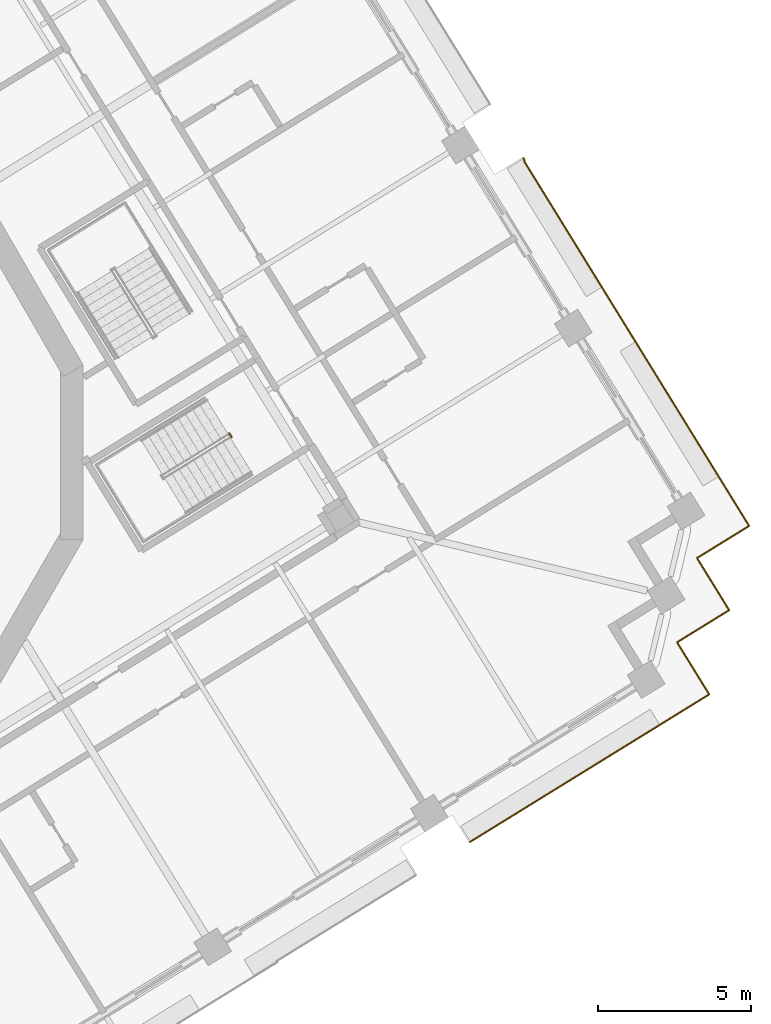
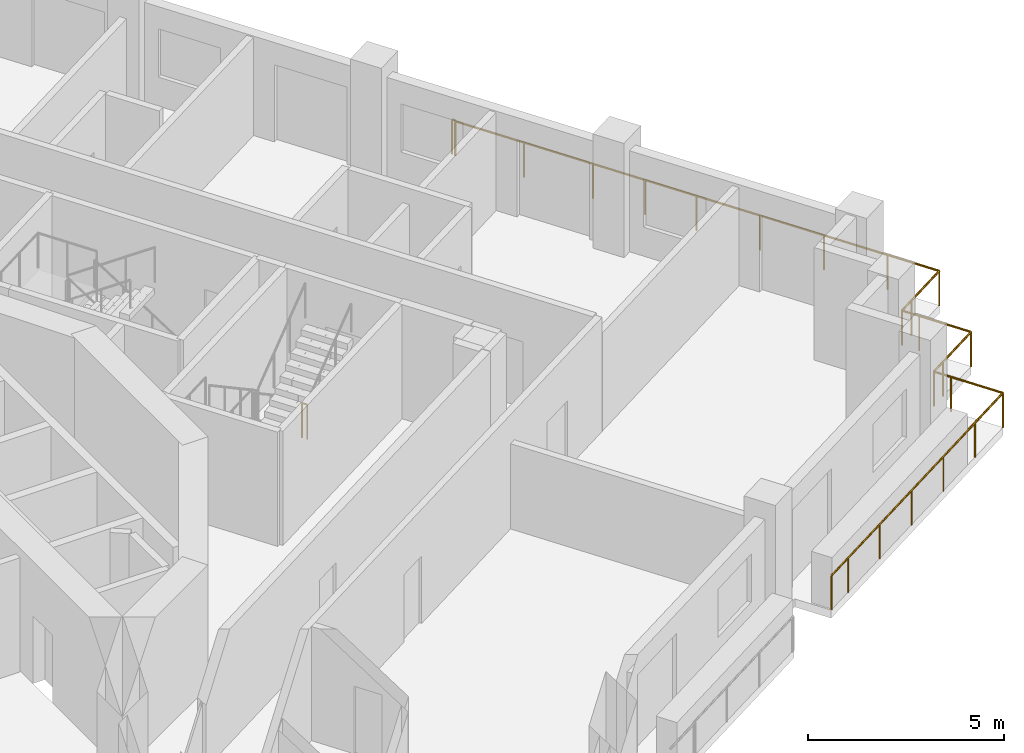
# One storey, part 18 of 22: 3 railings.
"""IFC4 building model written with IfcOpenShell, lengths in metres."""

import ifcopenshell
import ifcopenshell.guid

model = None  # the IFC model being written
_history = None  # IfcOwnerHistory: only IFC2X3 demands one
_inside = {}  # id of a spatial element -> (the spatial element, [elements in it])
_under = {}  # id of a project, library or spatial element -> (it, [spatial elements below it])
_declared = {}  # id of a project -> (the project, [libraries it declares])
_typed = {}  # id of a type object -> (the type object, [elements of that type])
_made_of = {}  # id of a material, layer set ... -> (it, [elements and type objects made of it])


def new_model(schema):
    """Start an empty IFC model of exactly this schema.

    Asked for "IFC4X3", IfcOpenShell would pick the latest addendum, in which some entities
    have other attributes; the version numbers below select the first issue.
    IFC2X3 requires an IfcOwnerHistory on every rooted entity: one is made here for all.
    """
    global model, _history
    if schema == "IFC4X3":
        model = ifcopenshell.file(schema_version=(4, 3, 0, 0))
    else:
        model = ifcopenshell.file(schema=schema)
    _inside.clear()
    _under.clear()
    _declared.clear()
    _typed.clear()
    _made_of.clear()
    _history = None
    if model.schema == "IFC2X3":
        org = make("IfcOrganization", Name="unknown")
        user = make(
            "IfcPersonAndOrganization",
            ThePerson=make("IfcPerson", FamilyName="unknown"),
            TheOrganization=org,
        )
        app = make(
            "IfcApplication",
            ApplicationDeveloper=org,
            Version="unknown",
            ApplicationFullName="unknown",
            ApplicationIdentifier="unknown",
        )
        _history = make(
            "IfcOwnerHistory",
            OwningUser=user,
            OwningApplication=app,
            ChangeAction="ADDED",
            CreationDate=0,
        )
    return model


def make(cls, **values):
    """One entity of the class cls with the attributes given. An attribute that is None is left unset."""
    return model.create_entity(
        cls, **{name: value for name, value in values.items() if value is not None}
    )


def rooted(cls, **values):
    """An entity with a GlobalId (a new one), such as an element, a storey or a relation."""
    return make(cls, GlobalId=ifcopenshell.guid.new(), OwnerHistory=_history, **values)


def si_unit(unit_type, name, prefix=None):
    """IfcSIUnit, for example si_unit("LENGTHUNIT", "METRE", prefix="MILLI")."""
    return make("IfcSIUnit", UnitType=unit_type, Prefix=prefix, Name=name)


def assignment(units):
    """IfcUnitAssignment: the units of a project."""
    return None if units is None else make("IfcUnitAssignment", Units=units)


def point(xyz):
    """IfcCartesianPoint."""
    return None if xyz is None else make("IfcCartesianPoint", Coordinates=xyz)


def direction(xyz):
    """IfcDirection."""
    return None if xyz is None else make("IfcDirection", DirectionRatios=xyz)


def frame(location, z_axis=None, x_axis=None):
    """IfcAxis2Placement3D, a coordinate frame: its origin and axes. An axis left out is left unset."""
    return make(
        "IfcAxis2Placement3D",
        Location=point(location),
        Axis=direction(z_axis),
        RefDirection=direction(x_axis),
    )


def frame_2d(location, x_axis=None):
    """IfcAxis2Placement2D, a coordinate frame in the plane: its origin and x axis."""
    return make(
        "IfcAxis2Placement2D", Location=point(location), RefDirection=direction(x_axis)
    )


def origin():
    """The frame at (0, 0, 0) with its axes left unset."""
    return frame((0.0, 0.0, 0.0))


def origin_2d():
    """The frame at (0, 0) in the plane with its x axis left unset."""
    return frame_2d((0.0, 0.0))


def place(relative_to, where):
    """IfcLocalPlacement: puts the frame where relative to a parent placement (None: the world)."""
    return make(
        "IfcLocalPlacement", PlacementRelTo=relative_to, RelativePlacement=where
    )


def context(
    kind, dimensions, precision=None, world=None, true_north=None, identifier=None
):
    """IfcGeometricRepresentationContext, for example the 3D "Model" context."""
    return make(
        "IfcGeometricRepresentationContext",
        ContextIdentifier=identifier,
        ContextType=kind,
        CoordinateSpaceDimension=dimensions,
        Precision=precision,
        WorldCoordinateSystem=world,
        TrueNorth=true_north,
    )


def subcontext(parent, identifier, kind, view, scale=None):
    """IfcGeometricRepresentationSubContext, for example "Body" below "Model"."""
    return make(
        "IfcGeometricRepresentationSubContext",
        ContextIdentifier=identifier,
        ContextType=kind,
        ParentContext=parent,
        TargetScale=scale,
        TargetView=view,
    )


def project(units=None, contexts=None):
    """IfcProject with its units and contexts."""
    return rooted(
        "IfcProject",
        Name="project",
        RepresentationContexts=contexts,
        UnitsInContext=assignment(units),
    )


def spatial(cls, under=None, at=None, **own):
    """A site, building, storey or space (cls), placed at a placement, below another one or the project."""
    s = rooted(cls, ObjectPlacement=at, **own)
    if under is not None:
        _under.setdefault(under.id(), (under, []))[1].append(s)
    return s


def profile(cls, at=None, kind="AREA", **sizes):
    """A parametric profile (cls). Its sizes go by their IFC names, for example OverallWidth=200.0."""
    return make(cls, ProfileType=kind, Position=at, **sizes)


def circle(**sizes):
    """IfcCircleProfileDef."""
    return profile("IfcCircleProfileDef", **sizes)


def extrude(swept, where, along, depth):
    """IfcExtrudedAreaSolid: the profile swept, set in the frame where, extruded along a direction by depth."""
    return make(
        "IfcExtrudedAreaSolid",
        SweptArea=swept,
        Position=where,
        ExtrudedDirection=direction(along),
        Depth=depth,
    )


def shape(context_of_items, identifier, shape_type, items):
    """IfcShapeRepresentation: the items that make up one representation, for example the "Body"."""
    return make(
        "IfcShapeRepresentation",
        ContextOfItems=context_of_items,
        RepresentationIdentifier=identifier,
        RepresentationType=shape_type,
        Items=items,
    )


def material(Name=None, Category=None):
    """IfcMaterial."""
    return make("IfcMaterial", Name=Name, Category=Category)


def made_of(thing, what):
    """Note that an element or type object is made of a material, layer set ...; save() writes the relation."""
    if what is not None:
        _made_of.setdefault(what.id(), (what, []))[1].append(thing)
    return thing


def type_object(cls, material=None, **own):
    """A type object (cls), such as IfcWallType, which elements share."""
    return made_of(rooted(cls, **own), material)


def element(
    cls,
    number,
    at=None,
    inside=None,
    cuts=None,
    type_object=None,
    material=None,
    context=None,
    identifier="Body",
    shape_type=None,
    held_by="IfcProductDefinitionShape",
    body=None,
    shapes=None,
    **own,
):
    """One element of the class cls, such as IfcWall. Its Tag is "e" and its number.

    at: its placement. inside: the storey or other place that contains it. cuts: it is an
    opening in that element (IfcRelVoidsElement). A single representation is given by context,
    identifier, shape_type and body (its items); several are given by shapes. held_by: the class
    of the entity that holds the representations. save() writes the other relations.
    """
    e = rooted(cls, Tag="e%d" % number, ObjectPlacement=at, **own)
    if body is not None:
        shapes = [shape(context, identifier, shape_type, body)]
    if shapes is not None:
        e.Representation = make(held_by, Representations=shapes)
    if inside is not None:
        _inside.setdefault(inside.id(), (inside, []))[1].append(e)
    if cuts is not None:
        rooted(
            "IfcRelVoidsElement", RelatingBuildingElement=cuts, RelatedOpeningElement=e
        )
    if type_object is not None:
        _typed.setdefault(type_object.id(), (type_object, []))[1].append(e)
    return made_of(e, material)


def aggregate(whole, parts):
    """IfcRelAggregates: a whole, such as a stair, and the parts it consists of."""
    return rooted("IfcRelAggregates", RelatingObject=whole, RelatedObjects=parts)


def save(model, path):
    """Write the relations noted so far, then the file.

    IfcRelAggregates (storeys below a building ...), IfcRelContainedInSpatialStructure (elements
    in a storey), IfcRelDefinesByType, IfcRelAssociatesMaterial and IfcRelDeclares: one each for
    every whole, place, type object, material and project.
    """
    for whole, parts in _under.values():
        aggregate(whole, parts)
    for where, things in _inside.values():
        rooted(
            "IfcRelContainedInSpatialStructure",
            RelatedElements=things,
            RelatingStructure=where,
        )
    for kind, things in _typed.values():
        rooted("IfcRelDefinesByType", RelatedObjects=things, RelatingType=kind)
    for what, things in _made_of.values():
        rooted("IfcRelAssociatesMaterial", RelatedObjects=things, RelatingMaterial=what)
    for by, libraries in _declared.values():
        rooted("IfcRelDeclares", RelatingContext=by, RelatedDefinitions=libraries)
    model.write(path)


model = new_model("IFC4")

# Units and contexts
model_context = context("Model", 3, precision=1e-05, world=origin(), true_north=direction((0.0, 1.0)))
body_context = subcontext(model_context, "Body", "Model", "MODEL_VIEW")
ifc_project = project(units=[si_unit("LENGTHUNIT", "METRE"), si_unit("AREAUNIT", "SQUARE_METRE"), si_unit("VOLUMEUNIT", "CUBIC_METRE"), si_unit("PLANEANGLEUNIT", "RADIAN"), si_unit("MASSUNIT", "GRAM", prefix="KILO")], contexts=[model_context])

# Site, building, storey
site_placement = place(None, origin())
site = spatial("IfcSite", under=ifc_project, at=site_placement, CompositionType="ELEMENT")
building_placement = place(site_placement, origin())
building = spatial("IfcBuilding", under=site, at=building_placement, Name="Cantera Rosa Tower", CompositionType="ELEMENT")
storey_placement = place(building_placement, frame((0.0, 0.0, 166.60009765625)))
storey = spatial("IfcBuildingStorey", under=building, at=storey_placement, Name="L36", CompositionType="ELEMENT", Elevation=166.60009765625)

# Railings
ifc_material_1 = material(Name="Stainless steel and laminated glass", Category="steel")
railing_type_1 = type_object("IfcRailingType", Name="GUARD 1100", PredefinedType="BALUSTRADE", material=ifc_material_1)
railing_1_placement = place(storey_placement, frame((30.03076171875, -6.208984375, 0.0)))
element("IfcRailing", 1, at=railing_1_placement, inside=storey, type_object=railing_type_1, Name="GUARD L36-10", PredefinedType="BALUSTRADE", context=body_context, shape_type="SweptSolid", body=[
    extrude(circle(Radius=0.030029296875, at=origin_2d()), frame((0.0, 0.0, 1.070068359375), z_axis=(0.52494176933, -0.851138143202, 0.0), x_axis=(0.851138143202, 0.52494176933, 0.0)), (0.0, 0.0, 1.0), 0.5),
    extrude(circle(Radius=0.030029296875, at=origin_2d()), frame((0.262451171875, -0.425537109375, 1.070068359375), z_axis=(0.524869051004, -0.85118298814, 0.0), x_axis=(0.85118298814, 0.524869051004, 0.0)), (0.0, 0.0, 1.0), 1.5),
    extrude(circle(Radius=0.030029296875, at=origin_2d()), frame((1.0498046875, -1.702392578125, 1.070068359375), z_axis=(-0.851138143202, -0.52494176933, 0.0), x_axis=(0.52494176933, -0.851138143202, 0.0)), (0.0, 0.0, 1.0), 1.5),
    extrude(circle(Radius=0.030029296875, at=origin_2d()), frame((-0.226806640625, -2.48974609375, 1.070068359375), z_axis=(-0.851120753703, -0.524969963537, 0.0), x_axis=(0.524969963537, -0.851120753703, 0.0)), (0.0, 0.0, 1.0), 6.820068359375),
    extrude(circle(Radius=0.030029296875, at=origin_2d()), frame((-6.031494140625, -6.070068359375, 1.070068359375), z_axis=(-0.851089370259, -0.525020841331, 0.0), x_axis=(0.525020841331, -0.851089370259, 0.0)), (0.0, 0.0, 1.0), 0.8701171875),
    extrude(circle(Radius=0.02490234375, at=origin_2d()), origin(), (0.0, 0.0, 1.0), 1.0400390625),
    extrude(circle(Radius=0.02490234375, at=origin_2d()), frame((0.262451171875, -0.425537109375, 0.0)), (0.0, 0.0, 1.0), 1.0400390625),
    extrude(circle(Radius=0.02490234375, at=origin_2d()), frame((1.0498046875, -1.702392578125, 0.0)), (0.0, 0.0, 1.0), 1.0400390625),
    extrude(circle(Radius=0.02490234375, at=origin_2d()), frame((-0.226806640625, -2.48974609375, 0.0)), (0.0, 0.0, 1.0), 1.0400390625),
    extrude(circle(Radius=0.02490234375, at=origin_2d()), frame((-1.677978515625, -3.384765625, 0.0)), (0.0, 0.0, 1.0), 1.0400390625),
    extrude(circle(Radius=0.02490234375, at=origin_2d()), frame((-3.129150390625, -4.27978515625, 0.0)), (0.0, 0.0, 1.0), 1.0400390625),
    extrude(circle(Radius=0.02490234375, at=origin_2d()), frame((-4.580322265625, -5.175048828125, 0.0)), (0.0, 0.0, 1.0), 1.0400390625),
    extrude(circle(Radius=0.02490234375, at=origin_2d()), frame((-6.031494140625, -6.070068359375, 0.0)), (0.0, 0.0, 1.0), 1.0400390625),
    extrude(circle(Radius=0.02490234375, at=origin_2d()), frame((-6.77197265625, -6.52685546875, 0.0)), (0.0, 0.0, 1.0), 1.0400390625),
])
railing_2_placement = place(storey_placement, frame((25.004150390625, 9.61865234375, 0.0)))
element("IfcRailing", 2, at=railing_2_placement, inside=storey, type_object=railing_type_1, Name="GUARD L36-11", PredefinedType="BALUSTRADE", context=body_context, shape_type="SweptSolid", body=[
    extrude(circle(Radius=0.030029296875, at=origin_2d()), frame((0.0, 0.0, 1.070068359375), z_axis=(0.524771895301, -0.851242890074, 0.0), x_axis=(0.851242890074, 0.524771895301, 0.0)), (0.0, 0.0, 1.0), 0.10107421875),
    extrude(circle(Radius=0.030029296875, at=origin_2d()), frame((0.052978515625, -0.0859375, 1.070068359375), z_axis=(-0.849761711822, -0.52716698789, 0.0), x_axis=(0.52716698789, -0.849761711822, 0.0)), (0.0, 0.0, 1.0), 0.031005859375),
    extrude(circle(Radius=0.030029296875, at=origin_2d()), frame((0.026611328125, -0.102294921875, 1.070068359375), z_axis=(0.525005464251, -0.851098855896, 0.0), x_axis=(0.851098855896, 0.525005464251, 0.0)), (0.0, 0.0, 1.0), 3.989013671875),
    extrude(circle(Radius=0.030029296875, at=origin_2d()), frame((2.120849609375, -3.497314453125, 1.070068359375), z_axis=(0.524964362564, -0.851124208349, 0.0), x_axis=(0.851124208349, 0.524964362564, 0.0)), (0.0, 0.0, 1.0), 3.0),
    extrude(circle(Radius=0.030029296875, at=origin_2d()), frame((3.69580078125, -6.05078125, 1.070068359375), z_axis=(0.524968277683, -0.851121793533, 0.0), x_axis=(0.851121793533, 0.524968277683, 0.0)), (0.0, 0.0, 1.0), 5.519775390625),
    extrude(circle(Radius=0.030029296875, at=origin_2d()), frame((6.593505859375, -10.748779296875, 1.070068359375), z_axis=(0.524986950369, -0.851110276017, 0.0), x_axis=(0.851110276017, 0.524986950369, 0.0)), (0.0, 0.0, 1.0), 1.500244140625),
    extrude(circle(Radius=0.030029296875, at=origin_2d()), frame((7.381103515625, -12.025634765625, 1.070068359375), z_axis=(-0.85118298814, -0.524869051004, 0.0), x_axis=(0.524869051004, -0.85118298814, 0.0)), (0.0, 0.0, 1.0), 1.5),
    extrude(circle(Radius=0.030029296875, at=origin_2d()), frame((6.104248046875, -12.81298828125, 1.070068359375), z_axis=(-0.851138143202, -0.52494176933, 0.0), x_axis=(0.52494176933, -0.851138143202, 0.0)), (0.0, 0.0, 1.0), 0.5),
    extrude(circle(Radius=0.030029296875, at=origin_2d()), frame((5.6787109375, -13.075439453125, 1.070068359375), z_axis=(0.52494176933, -0.851138143202, 0.0), x_axis=(0.851138143202, 0.52494176933, 0.0)), (0.0, 0.0, 1.0), 0.5),
    extrude(circle(Radius=0.030029296875, at=origin_2d()), frame((5.941162109375, -13.5009765625, 1.070068359375), z_axis=(0.524986950369, -0.851110276017, 0.0), x_axis=(0.851110276017, 0.524986950369, 0.0)), (0.0, 0.0, 1.0), 1.500244140625),
    extrude(circle(Radius=0.030029296875, at=origin_2d()), frame((6.728759765625, -14.77783203125, 1.070068359375), z_axis=(-0.851138143202, -0.52494176933, 0.0), x_axis=(0.52494176933, -0.851138143202, 0.0)), (0.0, 0.0, 1.0), 1.5),
    extrude(circle(Radius=0.030029296875, at=origin_2d()), frame((5.4521484375, -15.565185546875, 1.070068359375), z_axis=(-0.851138143202, -0.52494176933, 0.0), x_axis=(0.52494176933, -0.851138143202, 0.0)), (0.0, 0.0, 1.0), 0.5),
    extrude(circle(Radius=0.02490234375, at=origin_2d()), origin(), (0.0, 0.0, 1.0), 1.0400390625),
    extrude(circle(Radius=0.02490234375, at=origin_2d()), frame((0.052978515625, -0.0859375, 0.0)), (0.0, 0.0, 1.0), 1.0400390625),
    extrude(circle(Radius=0.02490234375, at=origin_2d()), frame((0.026611328125, -0.102294921875, 0.0)), (0.0, 0.0, 1.0), 1.0400390625),
    extrude(circle(Radius=0.02490234375, at=origin_2d()), frame((1.07373046875, -1.7998046875, 0.0)), (0.0, 0.0, 1.0), 1.0400390625),
    extrude(circle(Radius=0.02490234375, at=origin_2d()), frame((2.120849609375, -3.497314453125, 0.0)), (0.0, 0.0, 1.0), 1.0400390625),
    extrude(circle(Radius=0.02490234375, at=origin_2d()), frame((2.908203125, -4.77392578125, 0.0)), (0.0, 0.0, 1.0), 1.0400390625),
    extrude(circle(Radius=0.02490234375, at=origin_2d()), frame((3.69580078125, -6.05078125, 0.0)), (0.0, 0.0, 1.0), 1.0400390625),
    extrude(circle(Radius=0.02490234375, at=origin_2d()), frame((4.66162109375, -7.61669921875, 0.0)), (0.0, 0.0, 1.0), 1.0400390625),
    extrude(circle(Radius=0.02490234375, at=origin_2d()), frame((5.627685546875, -9.182861328125, 0.0)), (0.0, 0.0, 1.0), 1.0400390625),
    extrude(circle(Radius=0.02490234375, at=origin_2d()), frame((6.593505859375, -10.748779296875, 0.0)), (0.0, 0.0, 1.0), 1.0400390625),
    extrude(circle(Radius=0.02490234375, at=origin_2d()), frame((7.381103515625, -12.025634765625, 0.0)), (0.0, 0.0, 1.0), 1.0400390625),
    extrude(circle(Radius=0.02490234375, at=origin_2d()), frame((6.104248046875, -12.81298828125, 0.0)), (0.0, 0.0, 1.0), 1.0400390625),
    extrude(circle(Radius=0.02490234375, at=origin_2d()), frame((5.6787109375, -13.075439453125, 0.0)), (0.0, 0.0, 1.0), 1.0400390625),
    extrude(circle(Radius=0.02490234375, at=origin_2d()), frame((5.941162109375, -13.5009765625, 0.0)), (0.0, 0.0, 1.0), 1.0400390625),
    extrude(circle(Radius=0.02490234375, at=origin_2d()), frame((6.728759765625, -14.77783203125, 0.0)), (0.0, 0.0, 1.0), 1.0400390625),
    extrude(circle(Radius=0.02490234375, at=origin_2d()), frame((5.4521484375, -15.565185546875, 0.0)), (0.0, 0.0, 1.0), 1.0400390625),
    extrude(circle(Radius=0.02490234375, at=origin_2d()), frame((5.026611328125, -15.82763671875, 0.0)), (0.0, 0.0, 1.0), 1.0400390625),
])
ifc_material_2 = material(Name="Steel S355J2 (EN 10025-2)", Category="steel")
railing_type_2 = type_object("IfcRailingType", Name="STAIR GUARD 1100", PredefinedType="GUARDRAIL", material=ifc_material_2)
railing_3_placement = place(storey_placement, frame((15.394775390625, 0.625, 0.0)))
element("IfcRailing", 3, at=railing_3_placement, inside=storey, type_object=railing_type_2, Name="L36 ST-34 stair guard 3", PredefinedType="GUARDRAIL", context=body_context, shape_type="SweptSolid", body=[
    extrude(circle(Radius=0.02392578125, at=origin_2d()), frame((0.0, 0.0, 1.076171875), z_axis=(0.524279100842, -0.851546489876, 0.0), x_axis=(0.851546489876, 0.524279100842, 0.0)), (0.0, 0.0, 1.0), 0.14990234375),
    extrude(circle(Radius=0.02099609375, at=origin_2d()), origin(), (0.0, 0.0, 1.0), 1.052001953125),
    extrude(circle(Radius=0.02099609375, at=origin_2d()), frame((0.07861328125, -0.127685546875, 0.0)), (0.0, 0.0, 1.0), 1.052001953125),
])

save(model, "model.ifc")
